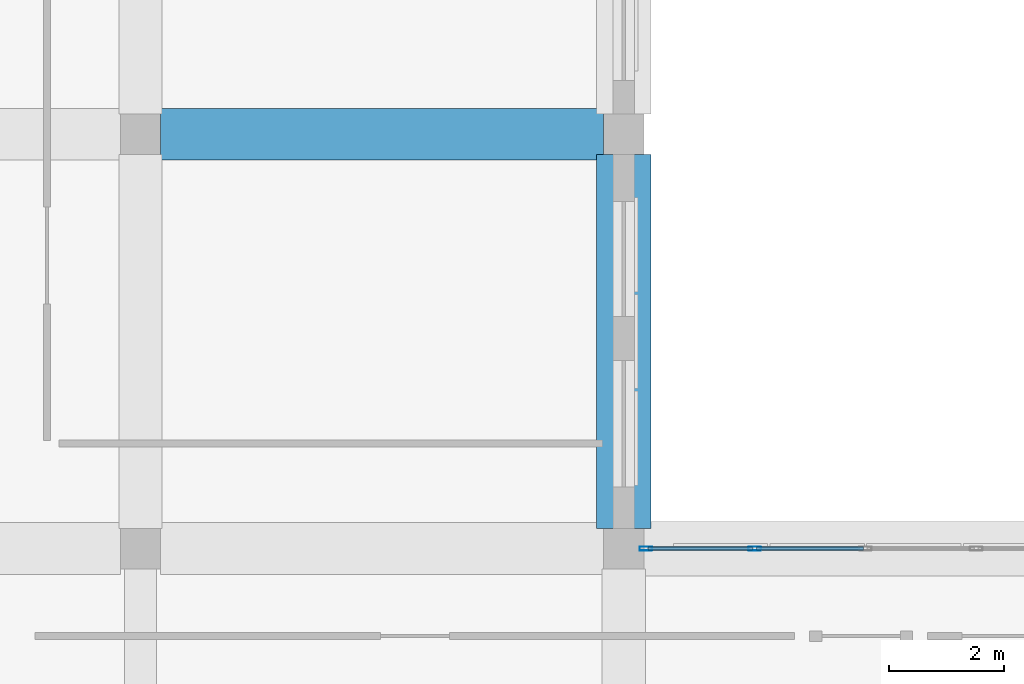
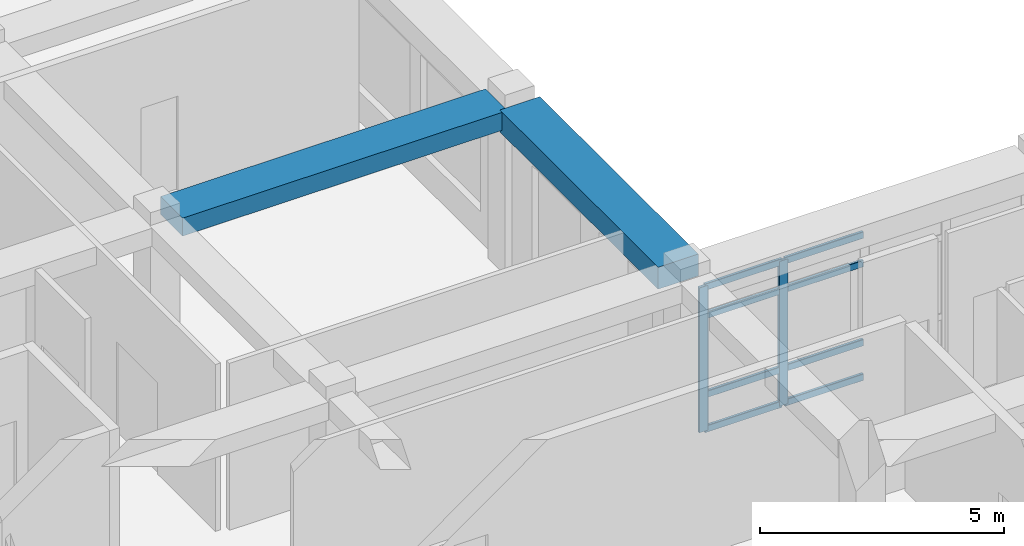
# One storey, part 25 of 79: 10 members, 2 beams, 1 element without a shape of its own.
"""IFC4 building model written with IfcOpenShell, lengths in metres."""

from ifc_helpers import new_model, si_unit, derived_unit, direction, frame, origin, origin_2d, place, context, subcontext, project, spatial, rectangle, hollow_rectangle, extrude, material, material_profile, profile_set, type_object, element, aggregate, save


model = new_model("IFC4")

# Units and contexts
model_context = context("Model", 3, precision=1e-05, world=origin(), true_north=direction((0.0, 1.0)))
body_context = subcontext(model_context, "Body", "Model", "MODEL_VIEW")
ifc_project = project(units=[si_unit("LENGTHUNIT", "METRE"), si_unit("AREAUNIT", "SQUARE_METRE"), si_unit("VOLUMEUNIT", "CUBIC_METRE"), si_unit("PLANEANGLEUNIT", "RADIAN"), si_unit("MASSUNIT", "GRAM", prefix="KILO"), derived_unit("THERMALTRANSMITTANCEUNIT", [(si_unit("POWERUNIT", "WATT"), 1), (si_unit("LENGTHUNIT", "METRE"), -2), (si_unit("THERMODYNAMICTEMPERATUREUNIT", "KELVIN"), -1)])], contexts=[model_context])

# Site, building, storey
site_placement = place(None, origin())
site = spatial("IfcSite", under=ifc_project, at=site_placement, CompositionType="ELEMENT")
building_placement = place(site_placement, origin())
building = spatial("IfcBuilding", under=site, at=building_placement, Name="Veybourne Emporium", CompositionType="ELEMENT")
storey_placement = place(building_placement, frame((0.0, 0.0, 18.89990234375)))
storey = spatial("IfcBuildingStorey", under=building, at=storey_placement, Name="L04", CompositionType="ELEMENT", Elevation=18.89990234375)

# Curtain wall, members
ifc_material_1 = material(Name="Patinated Architectural Bronze", Category="bronze")
curtain_wall_type = type_object("IfcCurtainWallType", Name="CWSystem_CWS-08", PredefinedType="NOTDEFINED", material=ifc_material_1)
curtain_wall_placement = place(storey_placement, origin())
curtain_wall = element("IfcCurtainWall", 1, at=curtain_wall_placement, inside=storey, type_object=curtain_wall_type, Name="L04 bronze glazed curtain wall CWS-08 (054)", PredefinedType="NOTDEFINED")
ifc_material_profile_1 = material_profile(ifc_material_1, hollow_rectangle(XDim=0.070068359375, YDim=0.219970703125, WallThickness=0.0048828125, InnerFilletRadius=0.007568359375, OuterFilletRadius=0.012451171875, at=origin_2d()), Name="CWM 70x220x5")
ifc_profile_set_1 = profile_set([ifc_material_profile_1], Name="Patinated Architectural Bronze")
member_type_1 = type_object("IfcMemberType", Name="CWMullion_CW-M4", PredefinedType="MULLION", material=ifc_profile_set_1)
member_1_placement = place(storey_placement, frame((92.784912109375, 72.0, 0.0), z_axis=(0.0, 0.0, 1.0), x_axis=(0.0, 1.0, 0.0)))
member_1 = element("IfcMember", 2, at=member_1_placement, type_object=member_type_1, Name="CWS-08 mullion 1", PredefinedType="MULLION", context=body_context, shape_type="SweptSolid", body=[
    extrude(hollow_rectangle(XDim=0.070068359375, YDim=0.219970703125, WallThickness=0.0048828125, InnerFilletRadius=0.007568359375, OuterFilletRadius=0.012451171875, at=origin_2d()), origin(), (0.0, 0.0, 1.0), 3.630126953125),
])
member_2_placement = place(storey_placement, frame((94.675048828125, 72.0, 0.0), z_axis=(0.0, 0.0, 1.0), x_axis=(0.0, 1.0, 0.0)))
member_2 = element("IfcMember", 3, at=member_2_placement, type_object=member_type_1, Name="CWS-08 mullion 2", PredefinedType="MULLION", context=body_context, shape_type="SweptSolid", body=[
    extrude(hollow_rectangle(XDim=0.070068359375, YDim=0.219970703125, WallThickness=0.0048828125, InnerFilletRadius=0.007568359375, OuterFilletRadius=0.012451171875, at=origin_2d()), origin(), (0.0, 0.0, 1.0), 3.630126953125),
])
ifc_material_profile_2 = material_profile(ifc_material_1, hollow_rectangle(XDim=0.070068359375, YDim=0.169921875, WallThickness=0.0048828125, InnerFilletRadius=0.007568359375, OuterFilletRadius=0.012451171875, at=origin_2d()), Name="CWT 70x170x5")
ifc_profile_set_2 = profile_set([ifc_material_profile_2], Name="Patinated Architectural Bronze")
member_type_2 = type_object("IfcMemberType", Name="CWTransom_CW-T4", PredefinedType="NOTDEFINED", material=ifc_profile_set_2)
member_3_placement = place(storey_placement, frame((92.820068359375, 72.0, 0.03515625), z_axis=(1.0, 0.0, 0.0), x_axis=(0.0, 1.0, 0.0)))
member_3 = element("IfcMember", 4, at=member_3_placement, type_object=member_type_2, Name="CWS-08 transom 1.1", ObjectType="TRANSOM", PredefinedType="USERDEFINED", context=body_context, shape_type="SweptSolid", body=[
    extrude(hollow_rectangle(XDim=0.070068359375, YDim=0.169921875, WallThickness=0.0048828125, InnerFilletRadius=0.007568359375, OuterFilletRadius=0.012451171875, at=origin_2d()), origin(), (0.0, 0.0, 1.0), 1.81982421875),
])
member_4_placement = place(storey_placement, frame((92.820068359375, 72.0, 0.900146484375), z_axis=(1.0, 0.0, 0.0), x_axis=(0.0, 1.0, 0.0)))
member_4 = element("IfcMember", 5, at=member_4_placement, type_object=member_type_2, Name="CWS-08 transom 1.2", ObjectType="TRANSOM", PredefinedType="USERDEFINED", context=body_context, shape_type="SweptSolid", body=[
    extrude(hollow_rectangle(XDim=0.070068359375, YDim=0.169921875, WallThickness=0.0048828125, InnerFilletRadius=0.007568359375, OuterFilletRadius=0.012451171875, at=origin_2d()), origin(), (0.0, 0.0, 1.0), 1.81982421875),
])
member_5_placement = place(storey_placement, frame((92.820068359375, 72.0, 2.880126953125), z_axis=(1.0, 0.0, 0.0), x_axis=(0.0, 1.0, 0.0)))
member_5 = element("IfcMember", 6, at=member_5_placement, type_object=member_type_2, Name="CWS-08 transom 1.3", ObjectType="TRANSOM", PredefinedType="USERDEFINED", context=body_context, shape_type="SweptSolid", body=[
    extrude(hollow_rectangle(XDim=0.070068359375, YDim=0.169921875, WallThickness=0.0048828125, InnerFilletRadius=0.007568359375, OuterFilletRadius=0.012451171875, at=origin_2d()), origin(), (0.0, 0.0, 1.0), 1.81982421875),
])
member_6_placement = place(storey_placement, frame((92.820068359375, 72.0, 3.59521484375), z_axis=(1.0, 0.0, 0.0), x_axis=(0.0, 1.0, 0.0)))
member_6 = element("IfcMember", 7, at=member_6_placement, type_object=member_type_2, Name="CWS-08 transom 1.4", ObjectType="TRANSOM", PredefinedType="USERDEFINED", context=body_context, shape_type="SweptSolid", body=[
    extrude(hollow_rectangle(XDim=0.070068359375, YDim=0.169921875, WallThickness=0.0048828125, InnerFilletRadius=0.007568359375, OuterFilletRadius=0.012451171875, at=origin_2d()), origin(), (0.0, 0.0, 1.0), 1.81982421875),
])
member_7_placement = place(storey_placement, frame((94.7099609375, 72.0, 0.03515625), z_axis=(1.0, 0.0, 0.0), x_axis=(0.0, 1.0, 0.0)))
member_7 = element("IfcMember", 8, at=member_7_placement, type_object=member_type_2, Name="CWS-08 transom 2.1", ObjectType="TRANSOM", PredefinedType="USERDEFINED", context=body_context, shape_type="SweptSolid", body=[
    extrude(hollow_rectangle(XDim=0.070068359375, YDim=0.169921875, WallThickness=0.0048828125, InnerFilletRadius=0.007568359375, OuterFilletRadius=0.012451171875, at=origin_2d()), origin(), (0.0, 0.0, 1.0), 1.85498046875),
])
member_8_placement = place(storey_placement, frame((94.7099609375, 72.0, 0.900146484375), z_axis=(1.0, 0.0, 0.0), x_axis=(0.0, 1.0, 0.0)))
member_8 = element("IfcMember", 9, at=member_8_placement, type_object=member_type_2, Name="CWS-08 transom 2.2", ObjectType="TRANSOM", PredefinedType="USERDEFINED", context=body_context, shape_type="SweptSolid", body=[
    extrude(hollow_rectangle(XDim=0.070068359375, YDim=0.169921875, WallThickness=0.0048828125, InnerFilletRadius=0.007568359375, OuterFilletRadius=0.012451171875, at=origin_2d()), origin(), (0.0, 0.0, 1.0), 1.85498046875),
])
member_9_placement = place(storey_placement, frame((94.7099609375, 72.0, 2.880126953125), z_axis=(1.0, 0.0, 0.0), x_axis=(0.0, 1.0, 0.0)))
member_9 = element("IfcMember", 10, at=member_9_placement, type_object=member_type_2, Name="CWS-08 transom 2.3", ObjectType="TRANSOM", PredefinedType="USERDEFINED", context=body_context, shape_type="SweptSolid", body=[
    extrude(hollow_rectangle(XDim=0.070068359375, YDim=0.169921875, WallThickness=0.0048828125, InnerFilletRadius=0.007568359375, OuterFilletRadius=0.012451171875, at=origin_2d()), origin(), (0.0, 0.0, 1.0), 1.85498046875),
])
member_10_placement = place(storey_placement, frame((94.7099609375, 72.0, 3.59521484375), z_axis=(1.0, 0.0, 0.0), x_axis=(0.0, 1.0, 0.0)))
member_10 = element("IfcMember", 11, at=member_10_placement, type_object=member_type_2, Name="CWS-08 transom 2.4", ObjectType="TRANSOM", PredefinedType="USERDEFINED", context=body_context, shape_type="SweptSolid", body=[
    extrude(hollow_rectangle(XDim=0.070068359375, YDim=0.169921875, WallThickness=0.0048828125, InnerFilletRadius=0.007568359375, OuterFilletRadius=0.012451171875, at=origin_2d()), origin(), (0.0, 0.0, 1.0), 1.85498046875),
])
aggregate(curtain_wall, [member_1, member_2, member_3, member_4, member_5, member_6, member_7, member_8, member_9, member_10])

# Beams
ifc_material_2 = material(Name="Concrete C32/40", Category="concrete")
ifc_material_profile_3 = material_profile(ifc_material_2, rectangle(XDim=0.89990234375, YDim=0.449951171875, at=origin_2d()), Name="RC 900x450")
ifc_profile_set_3 = profile_set([ifc_material_profile_3], Name="Concrete C32/40")
beam_type_1 = type_object("IfcBeamType", Name="RCBeam_BB-03", PredefinedType="BEAM", material=ifc_profile_set_3)
beam_1_placement = place(storey_placement, frame((84.35009765625, 79.199951171875, 3.955078125), z_axis=(1.0, 0.0, 0.0), x_axis=(0.0, 1.0, 0.0)))
element("IfcBeam", 12, at=beam_1_placement, inside=storey, type_object=beam_type_1, Name="L04 X-grid beam BB-03 (10,11)", PredefinedType="BEAM", context=body_context, shape_type="SweptSolid", body=[
    extrude(rectangle(XDim=0.89990234375, YDim=0.449951171875, at=origin_2d()), origin(), (0.0, 0.0, 1.0), 7.699951171875),
])
ifc_material_profile_4 = material_profile(ifc_material_2, rectangle(XDim=0.949951171875, YDim=0.550048828125, at=origin_2d()), Name="RC 950x550")
ifc_profile_set_4 = profile_set([ifc_material_profile_4], Name="Concrete C32/40")
beam_type_2 = type_object("IfcBeamType", Name="RCBeam_EB-01", PredefinedType="SPANDREL", material=ifc_profile_set_4)
beam_2_placement = place(storey_placement, frame((92.39990234375, 72.35009765625, 3.905029296875), z_axis=(0.0, 1.0, 0.0), x_axis=(-1.0, 0.0, 0.0)))
element("IfcBeam", 13, at=beam_2_placement, inside=storey, type_object=beam_type_2, Name="L04 Y-grid beam EB-01 (11,10)", PredefinedType="SPANDREL", context=body_context, shape_type="SweptSolid", body=[
    extrude(rectangle(XDim=0.949951171875, YDim=0.550048828125, at=origin_2d()), origin(), (0.0, 0.0, 1.0), 6.5),
])

save(model, "model.ifc")
